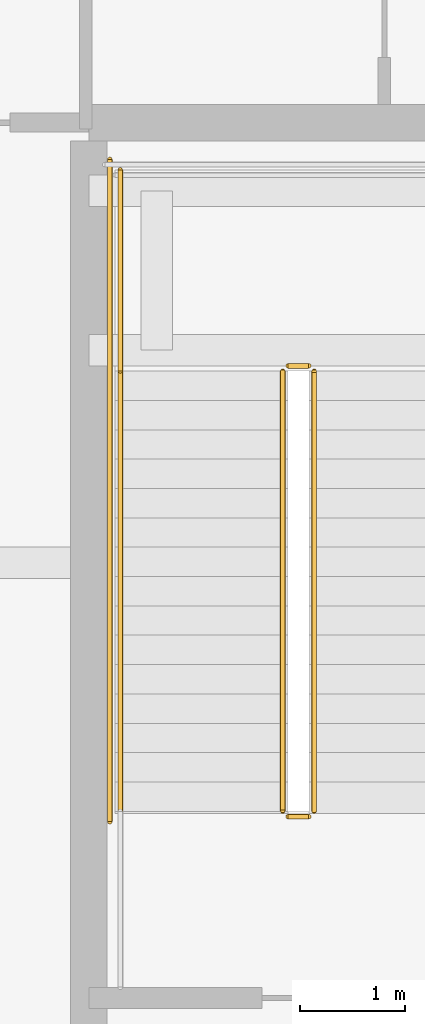
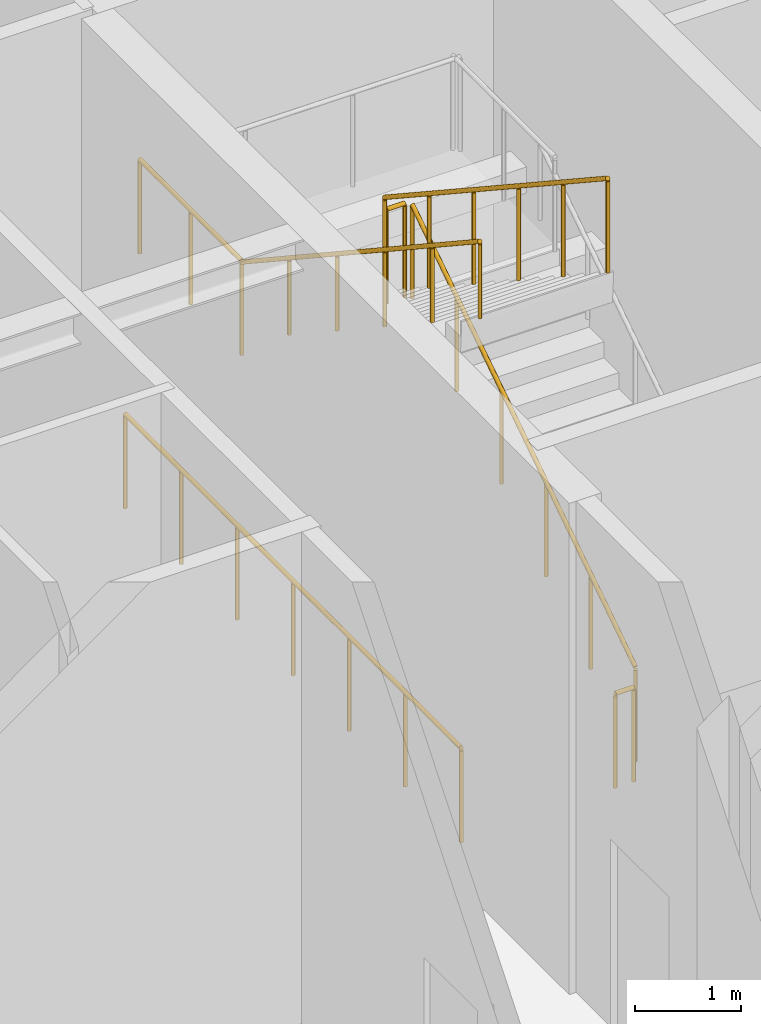
# One storey, part 35 of 38: 7 railings.
"""IFC4 building model written with IfcOpenShell, lengths in metres."""

from ifc_helpers import new_model, si_unit, direction, frame, origin, origin_2d, place, context, subcontext, project, spatial, circle, extrude, material, type_object, element, save


model = new_model("IFC4")

# Units and contexts
model_context = context("Model", 3, precision=1e-05, world=origin(), true_north=direction((0.0, 1.0)))
body_context = subcontext(model_context, "Body", "Model", "MODEL_VIEW")
ifc_project = project(units=[si_unit("LENGTHUNIT", "METRE"), si_unit("AREAUNIT", "SQUARE_METRE"), si_unit("VOLUMEUNIT", "CUBIC_METRE"), si_unit("PLANEANGLEUNIT", "RADIAN"), si_unit("MASSUNIT", "GRAM", prefix="KILO")], contexts=[model_context])

# Site, building, storey
site_placement = place(None, origin())
site = spatial("IfcSite", under=ifc_project, at=site_placement, CompositionType="ELEMENT")
building_placement = place(site_placement, origin())
building = spatial("IfcBuilding", under=site, at=building_placement, Name="Serunith Strait Residences", CompositionType="ELEMENT")
storey_placement = place(building_placement, frame((0.0, 0.0, 342.050048828125)))
storey = spatial("IfcBuildingStorey", under=building, at=storey_placement, Name="L85", CompositionType="ELEMENT", Elevation=342.050048828125)

# Railings
ifc_material = material(Name="Brushed stainless steel 316L", Category="steel")
railing_type_1 = type_object("IfcRailingType", Name="RLG-STAIR-GUARD", PredefinedType="BALUSTRADE", material=ifc_material)
railing_1_placement = place(storey_placement, frame((25.550048828125, 27.030029296875, 0.184326171875)))
element("IfcRailing", 1, at=railing_1_placement, inside=storey, type_object=railing_type_1, Name="L85 ST-1 stair guard 1", PredefinedType="BALUSTRADE", context=body_context, shape_type="SweptSolid", body=[
    extrude(circle(Radius=0.02392578125, at=origin_2d()), frame((0.0, 0.001708984375, 1.0771484375), z_axis=(0.0, 0.835188813412, 0.549963313278), x_axis=(-1.0, 0.0, 0.0)), (0.0, 0.0, 1.0), 5.024658203125),
    extrude(circle(Radius=0.02099609375, at=origin_2d()), origin(), (0.0, 0.0, 1.0), 1.050048828125),
    extrude(circle(Radius=0.02099609375, at=origin_2d()), frame((0.0, 0.840087890625, 0.55322265625)), (0.0, 0.0, 1.0), 1.050048828125),
    extrude(circle(Radius=0.02099609375, at=origin_2d()), frame((0.0, 1.679931640625, 1.106201171875)), (0.0, 0.0, 1.0), 1.050048828125),
    extrude(circle(Radius=0.02099609375, at=origin_2d()), frame((0.0, 2.52001953125, 1.659423828125)), (0.0, 0.0, 1.0), 1.050048828125),
    extrude(circle(Radius=0.02099609375, at=origin_2d()), frame((0.0, 3.35986328125, 2.21240234375)), (0.0, 0.0, 1.0), 1.050048828125),
    extrude(circle(Radius=0.02099609375, at=origin_2d()), frame((0.0, 4.199951171875, 2.765625)), (0.0, 0.0, 1.0), 1.050048828125),
])
railing_2_placement = place(storey_placement, frame((25.5, 31.280029296875, 2.949951171875)))
element("IfcRailing", 2, at=railing_2_placement, inside=storey, type_object=railing_type_1, Name="L85 ST-1 stair guard 2", PredefinedType="BALUSTRADE", context=body_context, shape_type="SweptSolid", body=[
    extrude(circle(Radius=0.02392578125, at=origin_2d()), frame((-0.001953125, 0.0, 1.076171875), z_axis=(-1.0, 0.0, 0.0), x_axis=(0.0, -1.0, 0.0)), (0.0, 0.0, 1.0), 0.196044921875),
    extrude(circle(Radius=0.02099609375, at=origin_2d()), origin(), (0.0, 0.0, 1.0), 1.050048828125),
    extrude(circle(Radius=0.02099609375, at=origin_2d()), frame((-0.199951171875, 0.0, 0.0)), (0.0, 0.0, 1.0), 1.050048828125),
])
railing_3_placement = place(storey_placement, frame((23.699951171875, 31.22998046875, 2.949951171875)))
element("IfcRailing", 3, at=railing_3_placement, inside=storey, type_object=railing_type_1, Name="L85 ST-1 stair guard 4", PredefinedType="BALUSTRADE", context=body_context, shape_type="SweptSolid", body=[
    extrude(circle(Radius=0.02392578125, at=origin_2d()), frame((0.0, 0.001953125, 1.076171875), z_axis=(0.0, 1.0, 0.0), x_axis=(-1.0, 0.0, 0.0)), (0.0, 0.0, 1.0), 1.916015625),
    extrude(circle(Radius=0.02099609375, at=origin_2d()), origin(), (0.0, 0.0, 1.0), 1.050048828125),
    extrude(circle(Radius=0.02099609375, at=origin_2d()), frame((0.0, 0.9599609375, 0.0)), (0.0, 0.0, 1.0), 1.050048828125),
    extrude(circle(Radius=0.02099609375, at=origin_2d()), frame((0.0, 1.919921875, 0.0)), (0.0, 0.0, 1.0), 1.050048828125),
])
railing_4_placement = place(storey_placement, frame((25.25, 31.22998046875, 3.13427734375)))
element("IfcRailing", 4, at=railing_4_placement, inside=storey, type_object=railing_type_1, Name="L85 ST-1 stair guard 6", PredefinedType="BALUSTRADE", context=body_context, shape_type="SweptSolid", body=[
    extrude(circle(Radius=0.02392578125, at=origin_2d()), frame((0.0, -0.001708984375, 1.0771484375), z_axis=(0.0, -0.835188813412, 0.549963313278), x_axis=(1.0, 0.0, 0.0)), (0.0, 0.0, 1.0), 5.024658203125),
    extrude(circle(Radius=0.02099609375, at=origin_2d()), origin(), (0.0, 0.0, 1.0), 1.050048828125),
    extrude(circle(Radius=0.02099609375, at=origin_2d()), frame((0.0, -0.840087890625, 0.55322265625)), (0.0, 0.0, 1.0), 1.050048828125),
    extrude(circle(Radius=0.02099609375, at=origin_2d()), frame((0.0, -1.679931640625, 1.106201171875)), (0.0, 0.0, 1.0), 1.050048828125),
    extrude(circle(Radius=0.02099609375, at=origin_2d()), frame((0.0, -2.52001953125, 1.659423828125)), (0.0, 0.0, 1.0), 1.050048828125),
    extrude(circle(Radius=0.02099609375, at=origin_2d()), frame((0.0, -3.35986328125, 2.21240234375)), (0.0, 0.0, 1.0), 1.050048828125),
    extrude(circle(Radius=0.02099609375, at=origin_2d()), frame((0.0, -4.199951171875, 2.765625)), (0.0, 0.0, 1.0), 1.050048828125),
])
railing_5_placement = place(storey_placement, frame((25.5, 26.97998046875, 0.0)))
element("IfcRailing", 5, at=railing_5_placement, inside=storey, type_object=railing_type_1, Name="L85 ST-1 stair guard 7", PredefinedType="BALUSTRADE", context=body_context, shape_type="SweptSolid", body=[
    extrude(circle(Radius=0.02392578125, at=origin_2d()), frame((-0.001953125, 0.0, 1.076171875), z_axis=(-1.0, 0.0, 0.0), x_axis=(0.0, -1.0, 0.0)), (0.0, 0.0, 1.0), 0.196044921875),
    extrude(circle(Radius=0.02099609375, at=origin_2d()), origin(), (0.0, 0.0, 1.0), 1.050048828125),
    extrude(circle(Radius=0.02099609375, at=origin_2d()), frame((-0.199951171875, 0.0, 0.0)), (0.0, 0.0, 1.0), 1.050048828125),
])
railing_6_placement = place(storey_placement, frame((23.60009765625, 26.929931640625, 0.0)))
element("IfcRailing", 6, at=railing_6_placement, inside=storey, type_object=railing_type_1, Name="L85 ST-1 stair guard 11", PredefinedType="BALUSTRADE", context=body_context, shape_type="SweptSolid", body=[
    extrude(circle(Radius=0.02392578125, at=origin_2d()), frame((0.0, 0.001953125, 1.076171875), z_axis=(0.0, 1.0, 0.0), x_axis=(-1.0, 0.0, 0.0)), (0.0, 0.0, 1.0), 6.316162109375),
    extrude(circle(Radius=0.02099609375, at=origin_2d()), origin(), (0.0, 0.0, 1.0), 1.050048828125),
    extrude(circle(Radius=0.02099609375, at=origin_2d()), frame((0.0, 1.05322265625, 0.0)), (0.0, 0.0, 1.0), 1.050048828125),
    extrude(circle(Radius=0.02099609375, at=origin_2d()), frame((0.0, 2.106689453125, 0.0)), (0.0, 0.0, 1.0), 1.050048828125),
    extrude(circle(Radius=0.02099609375, at=origin_2d()), frame((0.0, 3.16015625, 0.0)), (0.0, 0.0, 1.0), 1.050048828125),
    extrude(circle(Radius=0.02099609375, at=origin_2d()), frame((0.0, 4.21337890625, 0.0)), (0.0, 0.0, 1.0), 1.050048828125),
    extrude(circle(Radius=0.02099609375, at=origin_2d()), frame((0.0, 5.2666015625, 0.0)), (0.0, 0.0, 1.0), 1.050048828125),
    extrude(circle(Radius=0.02099609375, at=origin_2d()), frame((0.0, 6.320068359375, 0.0)), (0.0, 0.0, 1.0), 1.050048828125),
])
railing_type_2 = type_object("IfcRailingType", Name="RLG-STAIR-HR", PredefinedType="HANDRAIL", material=ifc_material)
railing_7_placement = place(storey_placement, frame((23.699951171875, 31.22998046875, 3.13427734375)))
element("IfcRailing", 7, at=railing_7_placement, inside=storey, type_object=railing_type_2, Name="L85 ST-1 stair handrail 2", PredefinedType="HANDRAIL", context=body_context, shape_type="SweptSolid", body=[
    extrude(circle(Radius=0.02392578125, at=origin_2d()), frame((0.0, -0.001708984375, 0.876953125), z_axis=(0.0, -0.834755773989, 0.550620375388), x_axis=(1.0, 0.0, 0.0)), (0.0, 0.0, 1.0), 5.36279296875),
    extrude(circle(Radius=0.02099609375, at=origin_2d()), origin(), (0.0, 0.0, 1.0), 0.849853515625),
    extrude(circle(Radius=0.02099609375, at=origin_2d()), frame((0.0, -0.89599609375, 0.591064453125)), (0.0, 0.0, 1.0), 0.849853515625),
    extrude(circle(Radius=0.02099609375, at=origin_2d()), frame((0.0, -1.7919921875, 1.18212890625)), (0.0, 0.0, 1.0), 0.849853515625),
    extrude(circle(Radius=0.02099609375, at=origin_2d()), frame((0.0, -2.68798828125, 1.77294921875)), (0.0, 0.0, 1.0), 0.849853515625),
    extrude(circle(Radius=0.02099609375, at=origin_2d()), frame((0.0, -3.583984375, 2.364013671875)), (0.0, 0.0, 1.0), 0.849853515625),
    extrude(circle(Radius=0.02099609375, at=origin_2d()), frame((0.0, -4.47998046875, 2.955078125)), (0.0, 0.0, 1.0), 0.849853515625),
])

save(model, "model.ifc")
